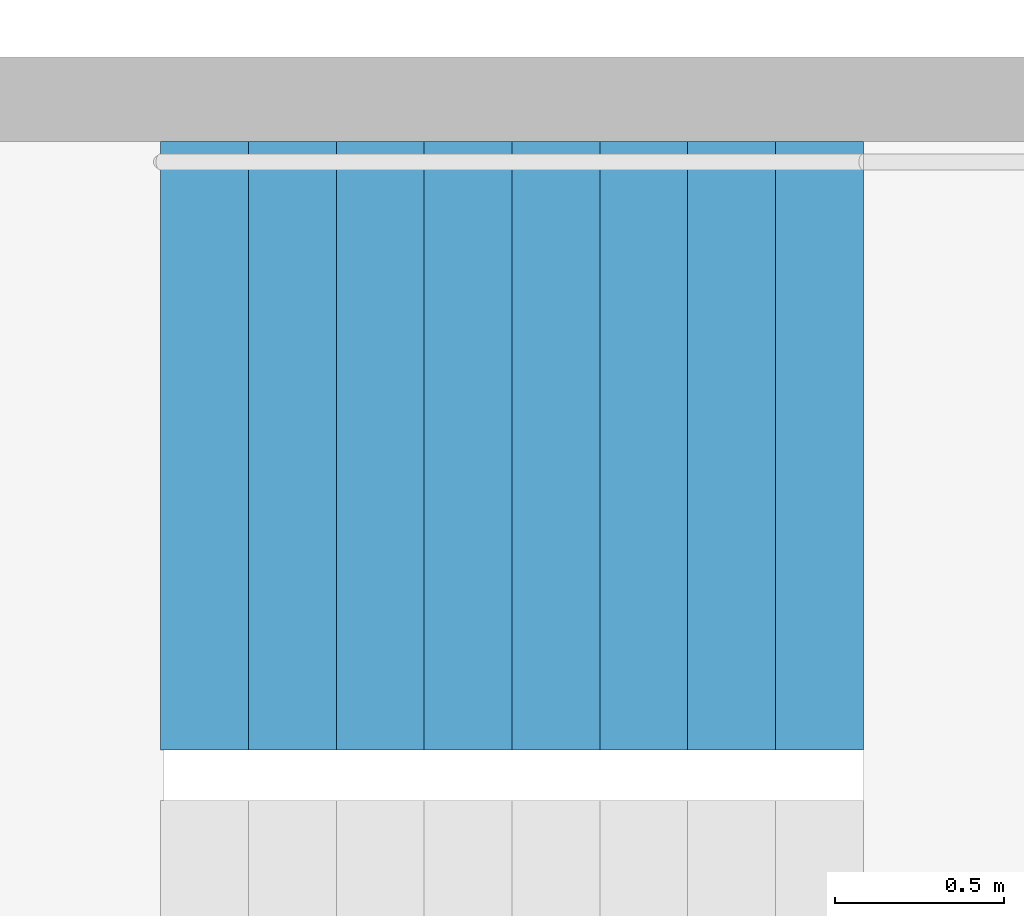
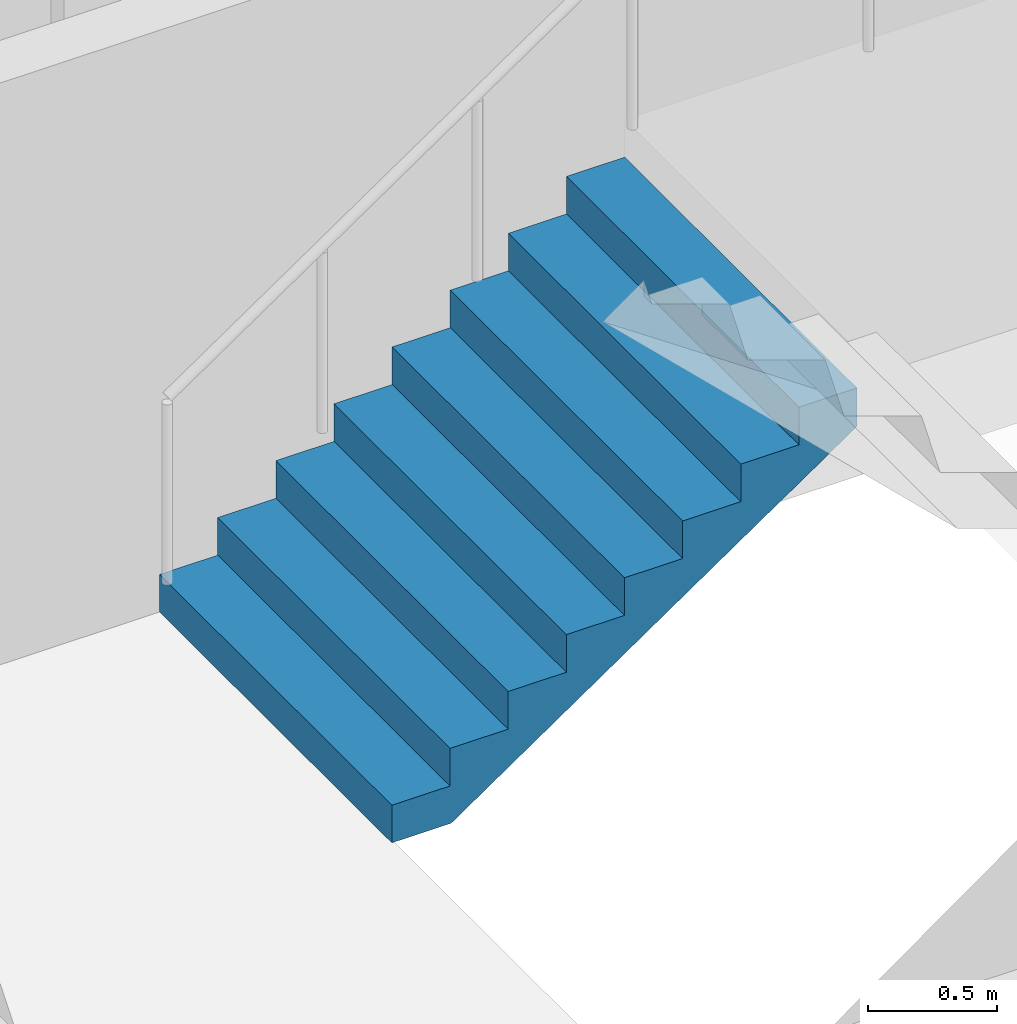
# One storey, part 21 of 28: 1 stair flight, 1 element without a shape of its own.
"""IFC4 building model written with IfcOpenShell, lengths in metres."""

from ifc_helpers import new_model, si_unit, direction, frame, origin, place, context, subcontext, project, spatial, triangles, material, type_object, element, aggregate, save


model = new_model("IFC4")

# Units and contexts
model_context = context("Model", 3, precision=1e-05, world=origin(), true_north=direction((0.0, 1.0)))
body_context = subcontext(model_context, "Body", "Model", "MODEL_VIEW")
ifc_project = project(units=[si_unit("LENGTHUNIT", "METRE"), si_unit("AREAUNIT", "SQUARE_METRE"), si_unit("VOLUMEUNIT", "CUBIC_METRE"), si_unit("PLANEANGLEUNIT", "RADIAN"), si_unit("MASSUNIT", "GRAM", prefix="KILO")], contexts=[model_context])

# Site, building, storey
site_placement = place(None, origin())
site = spatial("IfcSite", under=ifc_project, at=site_placement, CompositionType="ELEMENT")
building_placement = place(site_placement, origin())
building = spatial("IfcBuilding", under=site, at=building_placement, Name="Hakoniwa Tower and Hamabe Station Hall", CompositionType="ELEMENT")
storey_placement = place(building_placement, frame((0.0, 0.0, 218.60009765625)))
storey = spatial("IfcBuildingStorey", under=building, at=storey_placement, Name="L62", CompositionType="ELEMENT", Elevation=218.60009765625)

# Stair, stair flight
ifc_material_1 = material(Name="Concrete C40", Category="concrete")
stair_type = type_object("IfcStairType", Name="ESCAPE STAIR 1800", PredefinedType="HALF_TURN_STAIR", material=ifc_material_1)
stair_placement = place(storey_placement, origin())
stair = element("IfcStair", 1, at=stair_placement, inside=storey, type_object=stair_type, Name="Escape stair ST-4 L62", PredefinedType="HALF_TURN_STAIR")
ifc_material_2 = material(Name="Concrete C40", Category="concrete")
stair_flight_type = type_object("IfcStairFlightType", Name="STAIR FLIGHT 1800", PredefinedType="STRAIGHT", material=ifc_material_2)
stair_flight_placement = place(storey_placement, frame((23.39990234375, -4.64990234375, 0.0), z_axis=(0.0, 0.0, 1.0), x_axis=(1.0, 0.0, 0.0)))
stair_flight = element("IfcStairFlight", 2, at=stair_flight_placement, type_object=stair_flight_type, Name="ST-4 flight 1", NumberOfRisers=9, NumberOfTreads=8, PredefinedType="STRAIGHT", RiserHeight=0.177777778, TreadLength=0.26, context=body_context, shape_type="Tessellation", body=[
    triangles([(0.0, 0.89990234375, 0.0), (0.260009765625, 0.89990234375, 0.0), (0.265625, 0.89990234375, 0.0), (0.52001953125, 0.89990234375, 0.174072265625), (0.780029296875, 0.89990234375, 0.351806640625), (1.0400390625, 0.89990234375, 0.529541015625), (1.300048828125, 0.89990234375, 0.707275390625), (1.56005859375, 0.89990234375, 0.885009765625), (1.820068359375, 0.89990234375, 1.062744140625), (2.080078125, 0.89990234375, 1.24072265625), (2.080078125, 0.89990234375, 1.422119140625), (1.820068359375, 0.89990234375, 1.422119140625), (1.820068359375, 0.89990234375, 1.244384765625), (1.56005859375, 0.89990234375, 1.244384765625), (1.56005859375, 0.89990234375, 1.066650390625), (1.300048828125, 0.89990234375, 1.066650390625), (1.300048828125, 0.89990234375, 0.888916015625), (1.0400390625, 0.89990234375, 0.888916015625), (1.0400390625, 0.89990234375, 0.711181640625), (0.780029296875, 0.89990234375, 0.711181640625), (0.780029296875, 0.89990234375, 0.533447265625), (0.52001953125, 0.89990234375, 0.533447265625), (0.52001953125, 0.89990234375, 0.35546875), (0.265625, 0.89990234375, 0.35546875), (0.260009765625, 0.89990234375, 0.35546875), (0.260009765625, 0.89990234375, 0.177734375), (0.0, 0.89990234375, 0.177734375), (0.0, 0.06005859375, 0.0), (0.260009765625, 0.06005859375, 0.0), (0.265625, 0.06005859375, 0.0), (0.52001953125, 0.06005859375, 0.174072265625), (0.780029296875, 0.06005859375, 0.351806640625), (1.0400390625, 0.06005859375, 0.529541015625), (1.300048828125, 0.06005859375, 0.707275390625), (1.56005859375, 0.06005859375, 0.885009765625), (1.820068359375, 0.06005859375, 1.062744140625), (2.080078125, 0.06005859375, 1.24072265625), (2.080078125, 0.06005859375, 1.422119140625), (1.820068359375, 0.06005859375, 1.422119140625), (1.820068359375, 0.06005859375, 1.244384765625), (1.56005859375, 0.06005859375, 1.244384765625), (1.56005859375, 0.06005859375, 1.066650390625), (1.300048828125, 0.06005859375, 1.066650390625), (1.300048828125, 0.06005859375, 0.888916015625), (1.0400390625, 0.06005859375, 0.888916015625), (1.0400390625, 0.06005859375, 0.711181640625), (0.780029296875, 0.06005859375, 0.711181640625), (0.780029296875, 0.06005859375, 0.533447265625), (0.52001953125, 0.06005859375, 0.533447265625), (0.52001953125, 0.06005859375, 0.35546875), (0.265625, 0.06005859375, 0.35546875), (0.260009765625, 0.06005859375, 0.35546875), (0.260009765625, 0.06005859375, 0.177734375), (0.0, 0.06005859375, 0.177734375), (0.0, 0.04296875, 0.0), (0.260009765625, 0.04296875, 0.0), (0.265625, 0.04296875, 0.0), (0.52001953125, 0.04296875, 0.174072265625), (0.780029296875, 0.04296875, 0.351806640625), (1.0400390625, 0.04296875, 0.529541015625), (1.300048828125, 0.04296875, 0.707275390625), (1.56005859375, 0.04296875, 0.885009765625), (1.820068359375, 0.04296875, 1.062744140625), (2.080078125, 0.04296875, 1.24072265625), (2.080078125, 0.04296875, 1.422119140625), (1.820068359375, 0.04296875, 1.422119140625), (1.820068359375, 0.04296875, 1.244384765625), (1.56005859375, 0.04296875, 1.244384765625), (1.56005859375, 0.04296875, 1.066650390625), (1.300048828125, 0.04296875, 1.066650390625), (1.300048828125, 0.04296875, 0.888916015625), (1.0400390625, 0.04296875, 0.888916015625), (1.0400390625, 0.04296875, 0.711181640625), (0.780029296875, 0.04296875, 0.711181640625), (0.780029296875, 0.04296875, 0.533447265625), (0.52001953125, 0.04296875, 0.533447265625), (0.52001953125, 0.04296875, 0.35546875), (0.265625, 0.04296875, 0.35546875), (0.260009765625, 0.04296875, 0.35546875), (0.260009765625, 0.04296875, 0.177734375), (0.0, 0.04296875, 0.177734375), (0.0, 0.025634765625, 0.0), (0.260009765625, 0.025634765625, 0.0), (0.265625, 0.025634765625, 0.0), (0.52001953125, 0.025634765625, 0.174072265625), (0.780029296875, 0.025634765625, 0.351806640625), (1.0400390625, 0.025634765625, 0.529541015625), (1.300048828125, 0.025634765625, 0.707275390625), (1.56005859375, 0.025634765625, 0.885009765625), (1.820068359375, 0.025634765625, 1.062744140625), (2.080078125, 0.025634765625, 1.24072265625), (2.080078125, 0.025634765625, 1.422119140625), (1.820068359375, 0.025634765625, 1.422119140625), (1.820068359375, 0.025634765625, 1.244384765625), (1.56005859375, 0.025634765625, 1.244384765625), (1.56005859375, 0.025634765625, 1.066650390625), (1.300048828125, 0.025634765625, 1.066650390625), (1.300048828125, 0.025634765625, 0.888916015625), (1.0400390625, 0.025634765625, 0.888916015625), (1.0400390625, 0.025634765625, 0.711181640625), (0.780029296875, 0.025634765625, 0.711181640625), (0.780029296875, 0.025634765625, 0.533447265625), (0.52001953125, 0.025634765625, 0.533447265625), (0.52001953125, 0.025634765625, 0.35546875), (0.265625, 0.025634765625, 0.35546875), (0.260009765625, 0.025634765625, 0.35546875), (0.260009765625, 0.025634765625, 0.177734375), (0.0, 0.025634765625, 0.177734375), (0.0, 0.008544921875, 0.0), (0.260009765625, 0.008544921875, 0.0), (0.265625, 0.008544921875, 0.0), (0.52001953125, 0.008544921875, 0.174072265625), (0.780029296875, 0.008544921875, 0.351806640625), (1.0400390625, 0.008544921875, 0.529541015625), (1.300048828125, 0.008544921875, 0.707275390625), (1.56005859375, 0.008544921875, 0.885009765625), (1.820068359375, 0.008544921875, 1.062744140625), (2.080078125, 0.008544921875, 1.24072265625), (2.080078125, 0.008544921875, 1.422119140625), (1.820068359375, 0.008544921875, 1.422119140625), (1.820068359375, 0.008544921875, 1.244384765625), (1.56005859375, 0.008544921875, 1.244384765625), (1.56005859375, 0.008544921875, 1.066650390625), (1.300048828125, 0.008544921875, 1.066650390625), (1.300048828125, 0.008544921875, 0.888916015625), (1.0400390625, 0.008544921875, 0.888916015625), (1.0400390625, 0.008544921875, 0.711181640625), (0.780029296875, 0.008544921875, 0.711181640625), (0.780029296875, 0.008544921875, 0.533447265625), (0.52001953125, 0.008544921875, 0.533447265625), (0.52001953125, 0.008544921875, 0.35546875), (0.265625, 0.008544921875, 0.35546875), (0.260009765625, 0.008544921875, 0.35546875), (0.260009765625, 0.008544921875, 0.177734375), (0.0, 0.008544921875, 0.177734375), (0.0, -0.008544921875, 0.0), (0.260009765625, -0.008544921875, 0.0), (0.265625, -0.008544921875, 0.0), (0.52001953125, -0.008544921875, 0.174072265625), (0.780029296875, -0.008544921875, 0.351806640625), (1.0400390625, -0.008544921875, 0.529541015625), (1.300048828125, -0.008544921875, 0.707275390625), (1.56005859375, -0.008544921875, 0.885009765625), (1.820068359375, -0.008544921875, 1.062744140625), (2.080078125, -0.008544921875, 1.24072265625), (2.080078125, -0.008544921875, 1.422119140625), (1.820068359375, -0.008544921875, 1.422119140625), (1.820068359375, -0.008544921875, 1.244384765625), (1.56005859375, -0.008544921875, 1.244384765625), (1.56005859375, -0.008544921875, 1.066650390625), (1.300048828125, -0.008544921875, 1.066650390625), (1.300048828125, -0.008544921875, 0.888916015625), (1.0400390625, -0.008544921875, 0.888916015625), (1.0400390625, -0.008544921875, 0.711181640625), (0.780029296875, -0.008544921875, 0.711181640625), (0.780029296875, -0.008544921875, 0.533447265625), (0.52001953125, -0.008544921875, 0.533447265625), (0.52001953125, -0.008544921875, 0.35546875), (0.265625, -0.008544921875, 0.35546875), (0.260009765625, -0.008544921875, 0.35546875), (0.260009765625, -0.008544921875, 0.177734375), (0.0, -0.008544921875, 0.177734375), (0.0, -0.025634765625, 0.0), (0.260009765625, -0.025634765625, 0.0), (0.265625, -0.025634765625, 0.0), (0.52001953125, -0.025634765625, 0.174072265625), (0.780029296875, -0.025634765625, 0.351806640625), (1.0400390625, -0.025634765625, 0.529541015625), (1.300048828125, -0.025634765625, 0.707275390625), (1.56005859375, -0.025634765625, 0.885009765625), (1.820068359375, -0.025634765625, 1.062744140625), (2.080078125, -0.025634765625, 1.24072265625), (2.080078125, -0.025634765625, 1.422119140625), (1.820068359375, -0.025634765625, 1.422119140625), (1.820068359375, -0.025634765625, 1.244384765625), (1.56005859375, -0.025634765625, 1.244384765625), (1.56005859375, -0.025634765625, 1.066650390625), (1.300048828125, -0.025634765625, 1.066650390625), (1.300048828125, -0.025634765625, 0.888916015625), (1.0400390625, -0.025634765625, 0.888916015625), (1.0400390625, -0.025634765625, 0.711181640625), (0.780029296875, -0.025634765625, 0.711181640625), (0.780029296875, -0.025634765625, 0.533447265625), (0.52001953125, -0.025634765625, 0.533447265625), (0.52001953125, -0.025634765625, 0.35546875), (0.265625, -0.025634765625, 0.35546875), (0.260009765625, -0.025634765625, 0.35546875), (0.260009765625, -0.025634765625, 0.177734375), (0.0, -0.025634765625, 0.177734375), (0.0, -0.04296875, 0.0), (0.260009765625, -0.04296875, 0.0), (0.265625, -0.04296875, 0.0), (0.52001953125, -0.04296875, 0.174072265625), (0.780029296875, -0.04296875, 0.351806640625), (1.0400390625, -0.04296875, 0.529541015625), (1.300048828125, -0.04296875, 0.707275390625), (1.56005859375, -0.04296875, 0.885009765625), (1.820068359375, -0.04296875, 1.062744140625), (2.080078125, -0.04296875, 1.24072265625), (2.080078125, -0.04296875, 1.422119140625), (1.820068359375, -0.04296875, 1.422119140625), (1.820068359375, -0.04296875, 1.244384765625), (1.56005859375, -0.04296875, 1.244384765625), (1.56005859375, -0.04296875, 1.066650390625), (1.300048828125, -0.04296875, 1.066650390625), (1.300048828125, -0.04296875, 0.888916015625), (1.0400390625, -0.04296875, 0.888916015625), (1.0400390625, -0.04296875, 0.711181640625), (0.780029296875, -0.04296875, 0.711181640625), (0.780029296875, -0.04296875, 0.533447265625), (0.52001953125, -0.04296875, 0.533447265625), (0.52001953125, -0.04296875, 0.35546875), (0.265625, -0.04296875, 0.35546875), (0.260009765625, -0.04296875, 0.35546875), (0.260009765625, -0.04296875, 0.177734375), (0.0, -0.04296875, 0.177734375), (0.0, -0.06005859375, 0.0), (0.260009765625, -0.06005859375, 0.0), (0.265625, -0.06005859375, 0.0), (0.52001953125, -0.06005859375, 0.174072265625), (0.780029296875, -0.06005859375, 0.351806640625), (1.0400390625, -0.06005859375, 0.529541015625), (1.300048828125, -0.06005859375, 0.707275390625), (1.56005859375, -0.06005859375, 0.885009765625), (1.820068359375, -0.06005859375, 1.062744140625), (2.080078125, -0.06005859375, 1.24072265625), (2.080078125, -0.06005859375, 1.422119140625), (1.820068359375, -0.06005859375, 1.422119140625), (1.820068359375, -0.06005859375, 1.244384765625), (1.56005859375, -0.06005859375, 1.244384765625), (1.56005859375, -0.06005859375, 1.066650390625), (1.300048828125, -0.06005859375, 1.066650390625), (1.300048828125, -0.06005859375, 0.888916015625), (1.0400390625, -0.06005859375, 0.888916015625), (1.0400390625, -0.06005859375, 0.711181640625), (0.780029296875, -0.06005859375, 0.711181640625), (0.780029296875, -0.06005859375, 0.533447265625), (0.52001953125, -0.06005859375, 0.533447265625), (0.52001953125, -0.06005859375, 0.35546875), (0.265625, -0.06005859375, 0.35546875), (0.260009765625, -0.06005859375, 0.35546875), (0.260009765625, -0.06005859375, 0.177734375), (0.0, -0.06005859375, 0.177734375), (0.0, -0.89990234375, 0.0), (0.260009765625, -0.89990234375, 0.0), (0.265625, -0.89990234375, 0.0), (0.52001953125, -0.89990234375, 0.174072265625), (0.780029296875, -0.89990234375, 0.351806640625), (1.0400390625, -0.89990234375, 0.529541015625), (1.300048828125, -0.89990234375, 0.707275390625), (1.56005859375, -0.89990234375, 0.885009765625), (1.820068359375, -0.89990234375, 1.062744140625), (2.080078125, -0.89990234375, 1.24072265625), (2.080078125, -0.89990234375, 1.422119140625), (1.820068359375, -0.89990234375, 1.422119140625), (1.820068359375, -0.89990234375, 1.244384765625), (1.56005859375, -0.89990234375, 1.244384765625), (1.56005859375, -0.89990234375, 1.066650390625), (1.300048828125, -0.89990234375, 1.066650390625), (1.300048828125, -0.89990234375, 0.888916015625), (1.0400390625, -0.89990234375, 0.888916015625), (1.0400390625, -0.89990234375, 0.711181640625), (0.780029296875, -0.89990234375, 0.711181640625), (0.780029296875, -0.89990234375, 0.533447265625), (0.52001953125, -0.89990234375, 0.533447265625), (0.52001953125, -0.89990234375, 0.35546875), (0.265625, -0.89990234375, 0.35546875), (0.260009765625, -0.89990234375, 0.35546875), (0.260009765625, -0.89990234375, 0.177734375), (0.0, -0.89990234375, 0.177734375)], [[2, 27, 26], [245, 269, 270], [2, 1, 27], [245, 270, 244], [3, 25, 24], [246, 267, 268], [3, 26, 25], [246, 268, 269], [3, 2, 26], [246, 269, 245], [4, 24, 23], [247, 266, 267], [4, 3, 24], [247, 267, 246], [5, 22, 21], [248, 264, 265], [5, 23, 22], [248, 265, 266], [5, 4, 23], [248, 266, 247], [6, 20, 19], [249, 262, 263], [6, 21, 20], [249, 263, 264], [6, 5, 21], [249, 264, 248], [7, 18, 17], [250, 260, 261], [7, 19, 18], [250, 261, 262], [7, 6, 19], [250, 262, 249], [8, 16, 15], [251, 258, 259], [8, 17, 16], [251, 259, 260], [8, 7, 17], [251, 260, 250], [9, 14, 13], [252, 256, 257], [9, 15, 14], [252, 257, 258], [9, 8, 15], [252, 258, 251], [10, 12, 11], [253, 254, 255], [10, 13, 12], [253, 255, 256], [10, 9, 13], [253, 256, 252], [1, 2, 29], [1, 29, 28], [28, 29, 56], [28, 56, 55], [55, 56, 83], [55, 83, 82], [82, 83, 110], [82, 110, 109], [109, 110, 137], [109, 137, 136], [136, 137, 164], [136, 164, 163], [163, 164, 191], [163, 191, 190], [190, 191, 218], [190, 218, 217], [217, 218, 245], [217, 245, 244], [2, 3, 30], [2, 30, 29], [29, 30, 57], [29, 57, 56], [56, 57, 84], [56, 84, 83], [83, 84, 111], [83, 111, 110], [110, 111, 138], [110, 138, 137], [137, 138, 165], [137, 165, 164], [164, 165, 192], [164, 192, 191], [191, 192, 219], [191, 219, 218], [218, 219, 246], [218, 246, 245], [3, 4, 31], [3, 31, 30], [30, 31, 58], [30, 58, 57], [57, 58, 85], [57, 85, 84], [84, 85, 112], [84, 112, 111], [111, 112, 139], [111, 139, 138], [138, 139, 166], [138, 166, 165], [165, 166, 193], [165, 193, 192], [192, 193, 220], [192, 220, 219], [219, 220, 247], [219, 247, 246], [4, 5, 32], [4, 32, 31], [31, 32, 59], [31, 59, 58], [58, 59, 86], [58, 86, 85], [85, 86, 113], [85, 113, 112], [112, 113, 140], [112, 140, 139], [139, 140, 167], [139, 167, 166], [166, 167, 194], [166, 194, 193], [193, 194, 221], [193, 221, 220], [220, 221, 248], [220, 248, 247], [5, 6, 33], [5, 33, 32], [32, 33, 60], [32, 60, 59], [59, 60, 87], [59, 87, 86], [86, 87, 114], [86, 114, 113], [113, 114, 141], [113, 141, 140], [140, 141, 168], [140, 168, 167], [167, 168, 195], [167, 195, 194], [194, 195, 222], [194, 222, 221], [221, 222, 249], [221, 249, 248], [6, 7, 34], [6, 34, 33], [33, 34, 61], [33, 61, 60], [60, 61, 88], [60, 88, 87], [87, 88, 115], [87, 115, 114], [114, 115, 142], [114, 142, 141], [141, 142, 169], [141, 169, 168], [168, 169, 196], [168, 196, 195], [195, 196, 223], [195, 223, 222], [222, 223, 250], [222, 250, 249], [7, 8, 35], [7, 35, 34], [34, 35, 62], [34, 62, 61], [61, 62, 89], [61, 89, 88], [88, 89, 116], [88, 116, 115], [115, 116, 143], [115, 143, 142], [142, 143, 170], [142, 170, 169], [169, 170, 197], [169, 197, 196], [196, 197, 224], [196, 224, 223], [223, 224, 251], [223, 251, 250], [8, 9, 36], [8, 36, 35], [35, 36, 63], [35, 63, 62], [62, 63, 90], [62, 90, 89], [89, 90, 117], [89, 117, 116], [116, 117, 144], [116, 144, 143], [143, 144, 171], [143, 171, 170], [170, 171, 198], [170, 198, 197], [197, 198, 225], [197, 225, 224], [224, 225, 252], [224, 252, 251], [9, 10, 37], [9, 37, 36], [36, 37, 64], [36, 64, 63], [63, 64, 91], [63, 91, 90], [90, 91, 118], [90, 118, 117], [117, 118, 145], [117, 145, 144], [144, 145, 172], [144, 172, 171], [171, 172, 199], [171, 199, 198], [198, 199, 226], [198, 226, 225], [225, 226, 253], [225, 253, 252], [10, 11, 38], [10, 38, 37], [37, 38, 65], [37, 65, 64], [64, 65, 92], [64, 92, 91], [91, 92, 119], [91, 119, 118], [118, 119, 146], [118, 146, 145], [145, 146, 173], [145, 173, 172], [172, 173, 200], [172, 200, 199], [199, 200, 227], [199, 227, 226], [226, 227, 254], [226, 254, 253], [11, 12, 39], [11, 39, 38], [38, 39, 66], [38, 66, 65], [65, 66, 93], [65, 93, 92], [92, 93, 120], [92, 120, 119], [119, 120, 147], [119, 147, 146], [146, 147, 174], [146, 174, 173], [173, 174, 201], [173, 201, 200], [200, 201, 228], [200, 228, 227], [227, 228, 255], [227, 255, 254], [12, 13, 40], [12, 40, 39], [39, 40, 67], [39, 67, 66], [66, 67, 94], [66, 94, 93], [93, 94, 121], [93, 121, 120], [120, 121, 148], [120, 148, 147], [147, 148, 175], [147, 175, 174], [174, 175, 202], [174, 202, 201], [201, 202, 229], [201, 229, 228], [228, 229, 256], [228, 256, 255], [13, 14, 41], [13, 41, 40], [40, 41, 68], [40, 68, 67], [67, 68, 95], [67, 95, 94], [94, 95, 122], [94, 122, 121], [121, 122, 149], [121, 149, 148], [148, 149, 176], [148, 176, 175], [175, 176, 203], [175, 203, 202], [202, 203, 230], [202, 230, 229], [229, 230, 257], [229, 257, 256], [14, 15, 42], [14, 42, 41], [41, 42, 69], [41, 69, 68], [68, 69, 96], [68, 96, 95], [95, 96, 123], [95, 123, 122], [122, 123, 150], [122, 150, 149], [149, 150, 177], [149, 177, 176], [176, 177, 204], [176, 204, 203], [203, 204, 231], [203, 231, 230], [230, 231, 258], [230, 258, 257], [15, 16, 43], [15, 43, 42], [42, 43, 70], [42, 70, 69], [69, 70, 97], [69, 97, 96], [96, 97, 124], [96, 124, 123], [123, 124, 151], [123, 151, 150], [150, 151, 178], [150, 178, 177], [177, 178, 205], [177, 205, 204], [204, 205, 232], [204, 232, 231], [231, 232, 259], [231, 259, 258], [16, 17, 44], [16, 44, 43], [43, 44, 71], [43, 71, 70], [70, 71, 98], [70, 98, 97], [97, 98, 125], [97, 125, 124], [124, 125, 152], [124, 152, 151], [151, 152, 179], [151, 179, 178], [178, 179, 206], [178, 206, 205], [205, 206, 233], [205, 233, 232], [232, 233, 260], [232, 260, 259], [17, 18, 45], [17, 45, 44], [44, 45, 72], [44, 72, 71], [71, 72, 99], [71, 99, 98], [98, 99, 126], [98, 126, 125], [125, 126, 153], [125, 153, 152], [152, 153, 180], [152, 180, 179], [179, 180, 207], [179, 207, 206], [206, 207, 234], [206, 234, 233], [233, 234, 261], [233, 261, 260], [18, 19, 46], [18, 46, 45], [45, 46, 73], [45, 73, 72], [72, 73, 100], [72, 100, 99], [99, 100, 127], [99, 127, 126], [126, 127, 154], [126, 154, 153], [153, 154, 181], [153, 181, 180], [180, 181, 208], [180, 208, 207], [207, 208, 235], [207, 235, 234], [234, 235, 262], [234, 262, 261], [19, 20, 47], [19, 47, 46], [46, 47, 74], [46, 74, 73], [73, 74, 101], [73, 101, 100], [100, 101, 128], [100, 128, 127], [127, 128, 155], [127, 155, 154], [154, 155, 182], [154, 182, 181], [181, 182, 209], [181, 209, 208], [208, 209, 236], [208, 236, 235], [235, 236, 263], [235, 263, 262], [20, 21, 48], [20, 48, 47], [47, 48, 75], [47, 75, 74], [74, 75, 102], [74, 102, 101], [101, 102, 129], [101, 129, 128], [128, 129, 156], [128, 156, 155], [155, 156, 183], [155, 183, 182], [182, 183, 210], [182, 210, 209], [209, 210, 237], [209, 237, 236], [236, 237, 264], [236, 264, 263], [21, 22, 49], [21, 49, 48], [48, 49, 76], [48, 76, 75], [75, 76, 103], [75, 103, 102], [102, 103, 130], [102, 130, 129], [129, 130, 157], [129, 157, 156], [156, 157, 184], [156, 184, 183], [183, 184, 211], [183, 211, 210], [210, 211, 238], [210, 238, 237], [237, 238, 265], [237, 265, 264], [22, 23, 50], [22, 50, 49], [49, 50, 77], [49, 77, 76], [76, 77, 104], [76, 104, 103], [103, 104, 131], [103, 131, 130], [130, 131, 158], [130, 158, 157], [157, 158, 185], [157, 185, 184], [184, 185, 212], [184, 212, 211], [211, 212, 239], [211, 239, 238], [238, 239, 266], [238, 266, 265], [23, 24, 51], [23, 51, 50], [50, 51, 78], [50, 78, 77], [77, 78, 105], [77, 105, 104], [104, 105, 132], [104, 132, 131], [131, 132, 159], [131, 159, 158], [158, 159, 186], [158, 186, 185], [185, 186, 213], [185, 213, 212], [212, 213, 240], [212, 240, 239], [239, 240, 267], [239, 267, 266], [24, 25, 52], [24, 52, 51], [51, 52, 79], [51, 79, 78], [78, 79, 106], [78, 106, 105], [105, 106, 133], [105, 133, 132], [132, 133, 160], [132, 160, 159], [159, 160, 187], [159, 187, 186], [186, 187, 214], [186, 214, 213], [213, 214, 241], [213, 241, 240], [240, 241, 268], [240, 268, 267], [25, 26, 53], [25, 53, 52], [52, 53, 80], [52, 80, 79], [79, 80, 107], [79, 107, 106], [106, 107, 134], [106, 134, 133], [133, 134, 161], [133, 161, 160], [160, 161, 188], [160, 188, 187], [187, 188, 215], [187, 215, 214], [214, 215, 242], [214, 242, 241], [241, 242, 269], [241, 269, 268], [26, 27, 54], [26, 54, 53], [53, 54, 81], [53, 81, 80], [80, 81, 108], [80, 108, 107], [107, 108, 135], [107, 135, 134], [134, 135, 162], [134, 162, 161], [161, 162, 189], [161, 189, 188], [188, 189, 216], [188, 216, 215], [215, 216, 243], [215, 243, 242], [242, 243, 270], [242, 270, 269], [27, 1, 28], [27, 28, 54], [54, 28, 55], [54, 55, 81], [81, 55, 82], [81, 82, 108], [108, 82, 109], [108, 109, 135], [135, 109, 136], [135, 136, 162], [162, 136, 163], [162, 163, 189], [189, 163, 190], [189, 190, 216], [216, 190, 217], [216, 217, 243], [243, 217, 244], [243, 244, 270]], closed=True),
])
aggregate(stair, [stair_flight])

save(model, "model.ifc")
